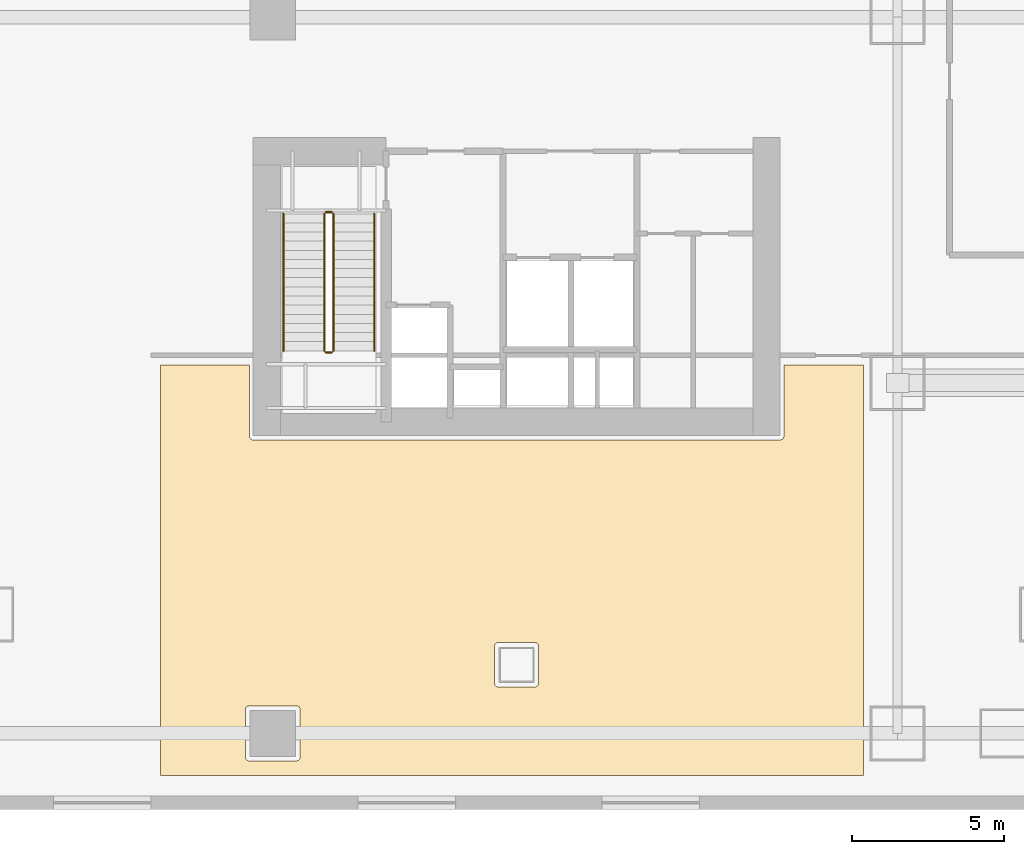
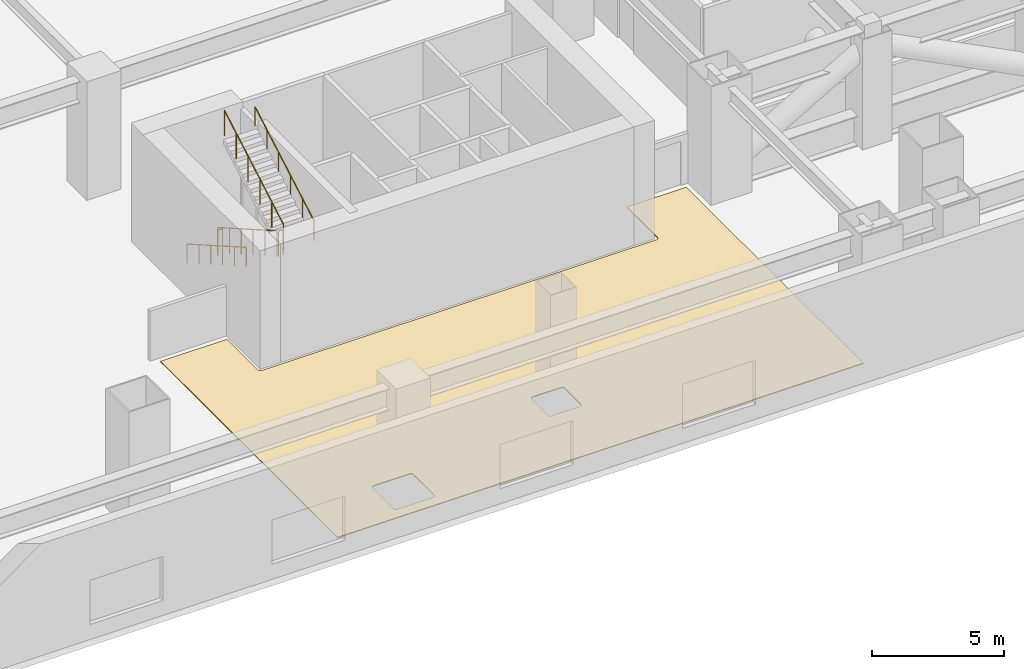
# One storey, part 31 of 34: 6 railings, 1 covering.
"""IFC4 building model written with IfcOpenShell, lengths in metres."""

from ifc_helpers import new_model, si_unit, direction, frame, origin, origin_2d, place, context, subcontext, project, spatial, polyline, circle, outline, extrude, material, layer, layer_set, type_object, element, save


model = new_model("IFC4")

# Units and contexts
model_context = context("Model", 3, precision=1e-05, world=origin(), true_north=direction((0.0, 1.0)))
body_context = subcontext(model_context, "Body", "Model", "MODEL_VIEW")
ifc_project = project(units=[si_unit("LENGTHUNIT", "METRE"), si_unit("AREAUNIT", "SQUARE_METRE"), si_unit("VOLUMEUNIT", "CUBIC_METRE"), si_unit("PLANEANGLEUNIT", "RADIAN"), si_unit("MASSUNIT", "GRAM", prefix="KILO")], contexts=[model_context])

# Site, building, storey
site_placement = place(None, origin())
site = spatial("IfcSite", under=ifc_project, at=site_placement, CompositionType="ELEMENT")
building_placement = place(site_placement, origin())
building = spatial("IfcBuilding", under=site, at=building_placement, Name="Qiaolan Cultural Towers", CompositionType="ELEMENT")
storey_placement = place(building_placement, frame((0.0, 0.0, 16.5)))
storey = spatial("IfcBuildingStorey", under=building, at=storey_placement, Name="L03", CompositionType="ELEMENT", Elevation=16.5)

# Covering
ifc_material_1 = material(Name="Honed Terrazzo & Raised Access Flooring", Category="concrete")
ifc_layer = layer(ifc_material_1, 0.0400390625)
ifc_layer_set = layer_set([ifc_layer], Name="Honed Terrazzo & Raised Access Flooring")
covering_type = type_object("IfcCoveringType", Name="COV-FLR-STONE", PredefinedType="FLOORING", material=ifc_layer_set)
covering_placement = place(storey_placement, origin())
element("IfcCovering", 1, at=covering_placement, inside=storey, type_object=covering_type, Name="L03 L03 South Design Archive Gallery Finish Flooring", PredefinedType="FLOORING", context=body_context, shape_type="SweptSolid", body=[
    extrude(outline(polyline([(41.3798828125, 1.1201171875), (41.3798828125, 14.580078125), (38.77001953125, 14.580078125), (38.77001953125, 12.25), (38.76953125, 12.23828125), (38.767578125, 12.2265625), (38.764892578125, 12.215087890625), (38.760986328125, 12.2041015625), (38.755859375, 12.193359375), (38.749755859375, 12.183349609375), (38.74267578125, 12.173828125), (38.73486328125, 12.1650390625), (38.72607421875, 12.1572265625), (38.716552734375, 12.150146484375), (38.70654296875, 12.144287109375), (38.69580078125, 12.13916015625), (38.684814453125, 12.13525390625), (38.67333984375, 12.13232421875), (38.661865234375, 12.130615234375), (38.64990234375, 12.1298828125), (21.35009765625, 12.1298828125), (21.338134765625, 12.130615234375), (21.32666015625, 12.13232421875), (21.315185546875, 12.13525390625), (21.30419921875, 12.13916015625), (21.29345703125, 12.144287109375), (21.283447265625, 12.150146484375), (21.27392578125, 12.1572265625), (21.26513671875, 12.1650390625), (21.25732421875, 12.173828125), (21.250244140625, 12.183349609375), (21.244140625, 12.193359375), (21.239013671875, 12.2041015625), (21.235107421875, 12.215087890625), (21.232421875, 12.2265625), (21.23046875, 12.23828125), (21.22998046875, 12.25), (21.22998046875, 14.580078125), (18.320068359375, 14.580078125), (18.320068359375, 1.1201171875), (41.3798828125, 1.1201171875)]), holes=[polyline([(30.724365234375, 4.13330078125), (30.72265625, 4.12158203125), (30.7197265625, 4.110107421875), (30.7158203125, 4.09912109375), (30.7109375, 4.08837890625), (30.704833984375, 4.078369140625), (30.69775390625, 4.06884765625), (30.68994140625, 4.06005859375), (30.68115234375, 4.05224609375), (30.671630859375, 4.045166015625), (30.66162109375, 4.0390625), (30.65087890625, 4.0341796875), (30.639892578125, 4.0302734375), (30.62841796875, 4.02734375), (30.61669921875, 4.025634765625), (30.60498046875, 4.02490234375), (29.39501953125, 4.02490234375), (29.38330078125, 4.025634765625), (29.37158203125, 4.02734375), (29.360107421875, 4.0302734375), (29.34912109375, 4.0341796875), (29.33837890625, 4.0390625), (29.328369140625, 4.045166015625), (29.31884765625, 4.05224609375), (29.31005859375, 4.06005859375), (29.30224609375, 4.06884765625), (29.295166015625, 4.078369140625), (29.2890625, 4.08837890625), (29.2841796875, 4.09912109375), (29.2802734375, 4.110107421875), (29.27734375, 4.12158203125), (29.275634765625, 4.13330078125), (29.27490234375, 4.14501953125), (29.27490234375, 5.35498046875), (29.275634765625, 5.36669921875), (29.27734375, 5.37841796875), (29.2802734375, 5.389892578125), (29.2841796875, 5.40087890625), (29.2890625, 5.41162109375), (29.295166015625, 5.421630859375), (29.30224609375, 5.43115234375), (29.31005859375, 5.43994140625), (29.31884765625, 5.44775390625), (29.328369140625, 5.454833984375), (29.33837890625, 5.4609375), (29.34912109375, 5.4658203125), (29.360107421875, 5.4697265625), (29.37158203125, 5.47265625), (29.38330078125, 5.474365234375), (29.39501953125, 5.47509765625), (30.60498046875, 5.47509765625), (30.61669921875, 5.474365234375), (30.62841796875, 5.47265625), (30.639892578125, 5.4697265625), (30.65087890625, 5.4658203125), (30.66162109375, 5.4609375), (30.671630859375, 5.454833984375), (30.68115234375, 5.44775390625), (30.68994140625, 5.43994140625), (30.69775390625, 5.43115234375), (30.704833984375, 5.421630859375), (30.7109375, 5.41162109375), (30.7158203125, 5.40087890625), (30.7197265625, 5.389892578125), (30.72265625, 5.37841796875), (30.724365234375, 5.36669921875), (30.72509765625, 5.35498046875), (30.72509765625, 4.14501953125), (30.724365234375, 4.13330078125)]), polyline([(22.791748046875, 3.3994140625), (22.803466796875, 3.397705078125), (22.81494140625, 3.394775390625), (22.825927734375, 3.390869140625), (22.836669921875, 3.3857421875), (22.8466796875, 3.3798828125), (22.856201171875, 3.372802734375), (22.86474609375, 3.36474609375), (22.872802734375, 3.356201171875), (22.8798828125, 3.3466796875), (22.8857421875, 3.336669921875), (22.890869140625, 3.325927734375), (22.894775390625, 3.31494140625), (22.897705078125, 3.303466796875), (22.8994140625, 3.291748046875), (22.89990234375, 3.280029296875), (22.89990234375, 1.719970703125), (22.8994140625, 1.708251953125), (22.897705078125, 1.696533203125), (22.894775390625, 1.68505859375), (22.890869140625, 1.674072265625), (22.8857421875, 1.663330078125), (22.8798828125, 1.6533203125), (22.872802734375, 1.643798828125), (22.86474609375, 1.63525390625), (22.856201171875, 1.627197265625), (22.8466796875, 1.6201171875), (22.836669921875, 1.6142578125), (22.825927734375, 1.609130859375), (22.81494140625, 1.605224609375), (22.803466796875, 1.602294921875), (22.791748046875, 1.6005859375), (22.780029296875, 1.60009765625), (21.219970703125, 1.60009765625), (21.208251953125, 1.6005859375), (21.196533203125, 1.602294921875), (21.18505859375, 1.605224609375), (21.174072265625, 1.609130859375), (21.163330078125, 1.6142578125), (21.1533203125, 1.6201171875), (21.143798828125, 1.627197265625), (21.13525390625, 1.63525390625), (21.127197265625, 1.643798828125), (21.1201171875, 1.6533203125), (21.1142578125, 1.663330078125), (21.109130859375, 1.674072265625), (21.105224609375, 1.68505859375), (21.102294921875, 1.696533203125), (21.1005859375, 1.708251953125), (21.10009765625, 1.719970703125), (21.10009765625, 3.280029296875), (21.1005859375, 3.291748046875), (21.102294921875, 3.303466796875), (21.105224609375, 3.31494140625), (21.109130859375, 3.325927734375), (21.1142578125, 3.336669921875), (21.1201171875, 3.3466796875), (21.127197265625, 3.356201171875), (21.13525390625, 3.36474609375), (21.143798828125, 3.372802734375), (21.1533203125, 3.3798828125), (21.163330078125, 3.3857421875), (21.174072265625, 3.390869140625), (21.18505859375, 3.394775390625), (21.196533203125, 3.397705078125), (21.208251953125, 3.3994140625), (21.219970703125, 3.39990234375), (22.780029296875, 3.39990234375), (22.791748046875, 3.3994140625)])]), origin(), (0.0, 0.0, 1.0), 0.0400390625),
])

# Railings
ifc_material_2 = material(Name="Galvanized Painted Steel Stair Guardrail", Category="steel")
railing_type_1 = type_object("IfcRailingType", Name="RL-STAIR-GRD", PredefinedType="GUARDRAIL", material=ifc_material_2)
railing_1_placement = place(storey_placement, frame((23.68994140625, 19.550048828125, 0.171875)))
element("IfcRailing", 2, at=railing_1_placement, inside=storey, type_object=railing_type_1, Name="L03 ST-W1 stair guard 1", PredefinedType="GUARDRAIL", context=body_context, shape_type="SweptSolid", body=[
    extrude(circle(Radius=0.02392578125, at=origin_2d()), frame((0.0, 0.0, 1.17578125), z_axis=(0.0, -0.867686387293, 0.49711199272), x_axis=(1.0, 0.0, 0.0)), (0.0, 0.0, 1.0), 5.186279296875),
    extrude(circle(Radius=0.02099609375, at=origin_2d()), origin(), (0.0, 0.0, 1.0), 1.15185546875),
    extrude(circle(Radius=0.02099609375, at=origin_2d()), frame((0.0, -0.89990234375, 0.515625)), (0.0, 0.0, 1.0), 1.15185546875),
    extrude(circle(Radius=0.02099609375, at=origin_2d()), frame((0.0, -1.800048828125, 1.03125)), (0.0, 0.0, 1.0), 1.15185546875),
    extrude(circle(Radius=0.02099609375, at=origin_2d()), frame((0.0, -2.699951171875, 1.546875)), (0.0, 0.0, 1.0), 1.15185546875),
    extrude(circle(Radius=0.02099609375, at=origin_2d()), frame((0.0, -3.60009765625, 2.0625)), (0.0, 0.0, 1.0), 1.15185546875),
    extrude(circle(Radius=0.02099609375, at=origin_2d()), frame((0.0, -4.5, 2.578125)), (0.0, 0.0, 1.0), 1.15185546875),
])
railing_2_placement = place(storey_placement, frame((23.739990234375, 15.0, 2.75)))
element("IfcRailing", 3, at=railing_2_placement, inside=storey, type_object=railing_type_1, Name="L03 ST-W1 stair guard 2", PredefinedType="GUARDRAIL", context=body_context, shape_type="SweptSolid", body=[
    extrude(circle(Radius=0.02392578125, at=origin_2d()), frame((0.0, 0.0, 1.17578125), z_axis=(1.0, 0.0, 0.0), x_axis=(0.0, 1.0, 0.0)), (0.0, 0.0, 1.0), 0.199951171875),
    extrude(circle(Radius=0.02099609375, at=origin_2d()), origin(), (0.0, 0.0, 1.0), 1.15185546875),
    extrude(circle(Radius=0.02099609375, at=origin_2d()), frame((0.199951171875, 0.0, 0.0)), (0.0, 0.0, 1.0), 1.15185546875),
])
railing_3_placement = place(storey_placement, frame((23.989990234375, 15.050048828125, 2.921875)))
element("IfcRailing", 4, at=railing_3_placement, inside=storey, type_object=railing_type_1, Name="L03 ST-W1 stair guard 3", PredefinedType="GUARDRAIL", context=body_context, shape_type="SweptSolid", body=[
    extrude(circle(Radius=0.02392578125, at=origin_2d()), frame((0.0, 0.0, 1.17578125), z_axis=(0.0, 0.867686387293, 0.49711199272), x_axis=(-1.0, 0.0, 0.0)), (0.0, 0.0, 1.0), 5.186279296875),
    extrude(circle(Radius=0.02099609375, at=origin_2d()), origin(), (0.0, 0.0, 1.0), 1.15185546875),
    extrude(circle(Radius=0.02099609375, at=origin_2d()), frame((0.0, 0.89990234375, 0.515625)), (0.0, 0.0, 1.0), 1.15185546875),
    extrude(circle(Radius=0.02099609375, at=origin_2d()), frame((0.0, 1.800048828125, 1.03125)), (0.0, 0.0, 1.0), 1.15185546875),
    extrude(circle(Radius=0.02099609375, at=origin_2d()), frame((0.0, 2.699951171875, 1.546875)), (0.0, 0.0, 1.0), 1.15185546875),
    extrude(circle(Radius=0.02099609375, at=origin_2d()), frame((0.0, 3.60009765625, 2.0625)), (0.0, 0.0, 1.0), 1.15185546875),
    extrude(circle(Radius=0.02099609375, at=origin_2d()), frame((0.0, 4.5, 2.578125)), (0.0, 0.0, 1.0), 1.15185546875),
])
railing_4_placement = place(storey_placement, frame((23.739990234375, 19.60009765625, 0.0)))
element("IfcRailing", 5, at=railing_4_placement, inside=storey, type_object=railing_type_1, Name="L03 ST-W1 stair guard 4", PredefinedType="GUARDRAIL", context=body_context, shape_type="SweptSolid", body=[
    extrude(circle(Radius=0.02392578125, at=origin_2d()), frame((0.0, 0.0, 1.17578125), z_axis=(1.0, 0.0, 0.0), x_axis=(0.0, 1.0, 0.0)), (0.0, 0.0, 1.0), 0.199951171875),
    extrude(circle(Radius=0.02099609375, at=origin_2d()), origin(), (0.0, 0.0, 1.0), 1.15185546875),
    extrude(circle(Radius=0.02099609375, at=origin_2d()), frame((0.199951171875, 0.0, 0.0)), (0.0, 0.0, 1.0), 1.15185546875),
])
ifc_material_3 = material(Name="Stainless Steel S30408 Tubular Handrail", Category="steel")
railing_type_2 = type_object("IfcRailingType", Name="RL-STAIR-HR", PredefinedType="HANDRAIL", material=ifc_material_3)
railing_5_placement = place(storey_placement, frame((22.35009765625, 19.550048828125, 0.171875)))
element("IfcRailing", 6, at=railing_5_placement, inside=storey, type_object=railing_type_2, Name="L03 ST-W1 stair handrail 1", PredefinedType="HANDRAIL", context=body_context, shape_type="SweptSolid", body=[
    extrude(circle(Radius=0.02392578125, at=origin_2d()), frame((0.0, 0.0, 0.8759765625), z_axis=(0.0, -0.867686387293, 0.49711199272), x_axis=(1.0, 0.0, 0.0)), (0.0, 0.0, 1.0), 5.186279296875),
    extrude(circle(Radius=0.02099609375, at=origin_2d()), origin(), (0.0, 0.0, 1.0), 0.851806640625),
    extrude(circle(Radius=0.02099609375, at=origin_2d()), frame((0.0, -0.89990234375, 0.515625)), (0.0, 0.0, 1.0), 0.851806640625),
    extrude(circle(Radius=0.02099609375, at=origin_2d()), frame((0.0, -1.800048828125, 1.03125)), (0.0, 0.0, 1.0), 0.851806640625),
    extrude(circle(Radius=0.02099609375, at=origin_2d()), frame((0.0, -2.699951171875, 1.546875)), (0.0, 0.0, 1.0), 0.851806640625),
    extrude(circle(Radius=0.02099609375, at=origin_2d()), frame((0.0, -3.60009765625, 2.0625)), (0.0, 0.0, 1.0), 0.851806640625),
    extrude(circle(Radius=0.02099609375, at=origin_2d()), frame((0.0, -4.5, 2.578125)), (0.0, 0.0, 1.0), 0.851806640625),
])
railing_6_placement = place(storey_placement, frame((25.330078125, 15.050048828125, 2.921875)))
element("IfcRailing", 7, at=railing_6_placement, inside=storey, type_object=railing_type_2, Name="L03 ST-W1 stair handrail 2", PredefinedType="HANDRAIL", context=body_context, shape_type="SweptSolid", body=[
    extrude(circle(Radius=0.02392578125, at=origin_2d()), frame((0.0, 0.0, 0.8759765625), z_axis=(0.0, 0.867686387293, 0.49711199272), x_axis=(-1.0, 0.0, 0.0)), (0.0, 0.0, 1.0), 5.186279296875),
    extrude(circle(Radius=0.02099609375, at=origin_2d()), origin(), (0.0, 0.0, 1.0), 0.851806640625),
    extrude(circle(Radius=0.02099609375, at=origin_2d()), frame((0.0, 0.89990234375, 0.515625)), (0.0, 0.0, 1.0), 0.851806640625),
    extrude(circle(Radius=0.02099609375, at=origin_2d()), frame((0.0, 1.800048828125, 1.03125)), (0.0, 0.0, 1.0), 0.851806640625),
    extrude(circle(Radius=0.02099609375, at=origin_2d()), frame((0.0, 2.699951171875, 1.546875)), (0.0, 0.0, 1.0), 0.851806640625),
    extrude(circle(Radius=0.02099609375, at=origin_2d()), frame((0.0, 3.60009765625, 2.0625)), (0.0, 0.0, 1.0), 0.851806640625),
    extrude(circle(Radius=0.02099609375, at=origin_2d()), frame((0.0, 4.5, 2.578125)), (0.0, 0.0, 1.0), 0.851806640625),
])

save(model, "model.ifc")
